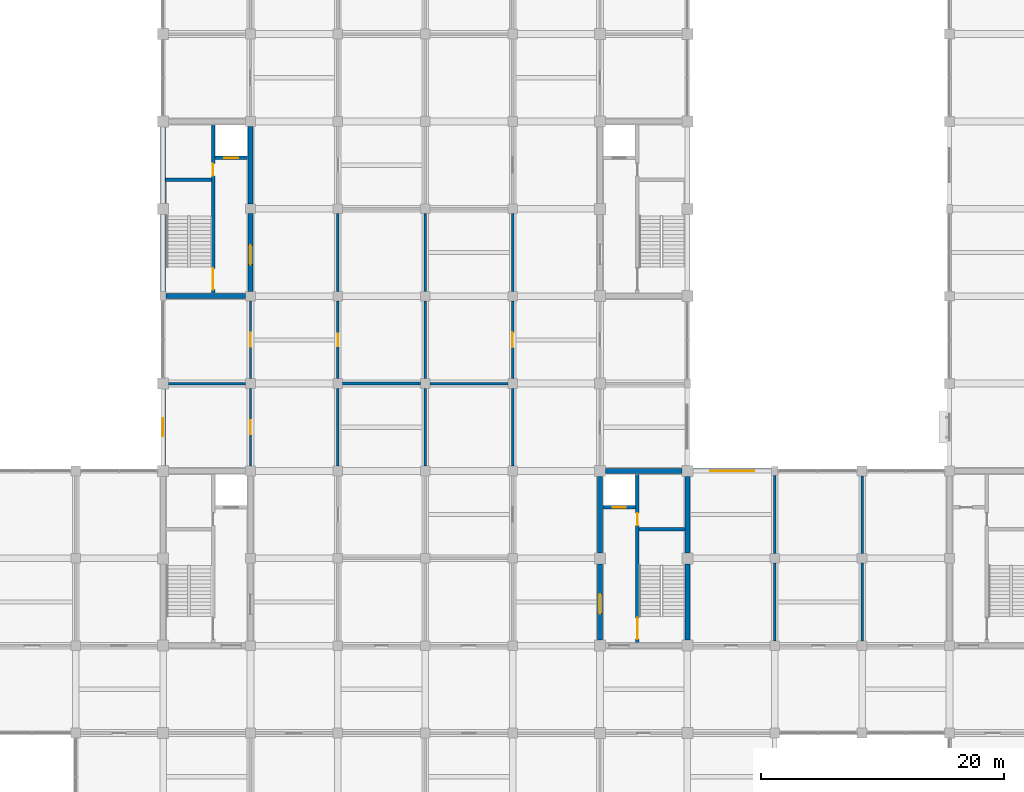
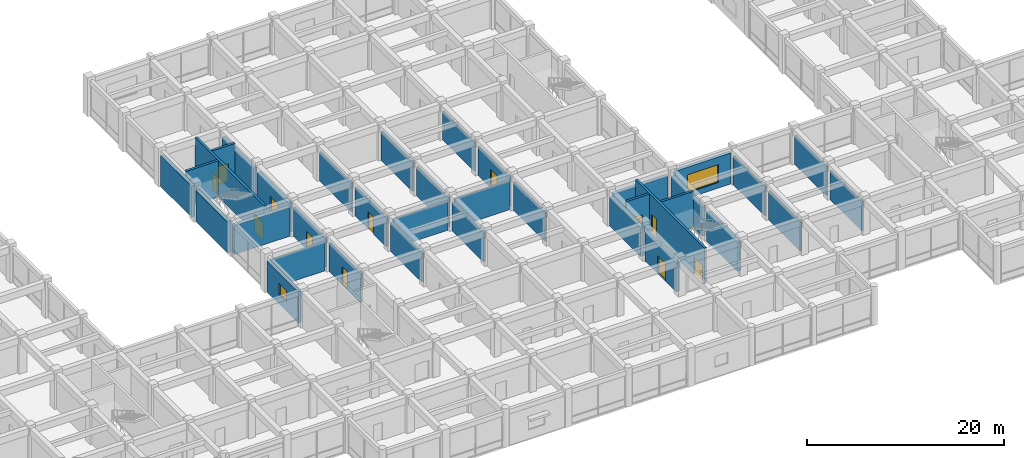
# One storey, part 59 of 75: 36 walls, 12 doors, 2 windows, 14 openings.
"""IFC4 building model written with IfcOpenShell, lengths in metres."""

from ifc_helpers import new_model, si_unit, direction, frame, frame_2d, origin, place, context, subcontext, project, spatial, rectangle, extrude, material, layer, layer_set, type_object, element, fill, save


model = new_model("IFC4")

# Units and contexts
model_context = context("Model", 3, precision=1e-05, world=origin(), true_north=direction((0.0, 1.0)))
body_context = subcontext(model_context, "Body", "Model", "MODEL_VIEW")
ifc_project = project(units=[si_unit("LENGTHUNIT", "METRE"), si_unit("AREAUNIT", "SQUARE_METRE"), si_unit("VOLUMEUNIT", "CUBIC_METRE"), si_unit("PLANEANGLEUNIT", "RADIAN"), si_unit("MASSUNIT", "GRAM", prefix="KILO")], contexts=[model_context])

# Site, building, storey
site_placement = place(None, origin())
site = spatial("IfcSite", under=ifc_project, at=site_placement, CompositionType="ELEMENT")
building_placement = place(site_placement, origin())
building = spatial("IfcBuilding", under=site, at=building_placement, Name="Cendaluz Park School", CompositionType="ELEMENT")
storey_placement = place(building_placement, frame((0.0, 0.0, 4.800048828125)))
storey = spatial("IfcBuildingStorey", under=building, at=storey_placement, Name="L01", CompositionType="ELEMENT", Elevation=4.800048828125)

# Wall
ifc_material_1 = material(Name="Gypsum Plasterboard on Cold-Formed Stud", Category="gypsum")
ifc_layer_1 = layer(ifc_material_1, 0.199951171875)
ifc_layer_set_1 = layer_set([ifc_layer_1], Name="Gypsum Plasterboard on Cold-Formed Stud")
wall_type_1 = type_object("IfcWallType", Name="W-AC20", PredefinedType="PARTITIONING", material=ifc_layer_set_1)
wall_1_placement = place(storey_placement, frame((65.25, 36.0, 0.0), z_axis=(0.0, 0.0, 1.0), x_axis=(1.0, 0.0, 0.0)))
element("IfcWall", 1, at=wall_1_placement, inside=storey, type_object=wall_type_1, Name="WL-FB-BV0", PredefinedType="PARTITIONING", context=body_context, shape_type="SweptSolid", body=[
    extrude(rectangle(XDim=6.35009765625, YDim=0.199951171875, at=frame_2d((3.175048828125, 0.0))), origin(), (0.0, 0.0, 1.0), 3.579833984375),
])

# Wall, opening, door
wall_2_placement = place(storey_placement, frame((72.0, 29.199951171875, 0.0), z_axis=(0.0, 0.0, 1.0), x_axis=(0.0, 1.0, 0.0)))
wall_2 = element("IfcWall", 2, at=wall_2_placement, inside=storey, type_object=wall_type_1, Name="WL-FB-BV1", PredefinedType="PARTITIONING", context=body_context, shape_type="SweptSolid", body=[
    extrude(rectangle(XDim=6.400146484375, YDim=0.199951171875, at=frame_2d((3.2001953125, 0.0))), origin(), (0.0, 0.0, 1.0), 3.579833984375),
])
opening_1_placement = place(wall_2_placement, frame((2.639892578125, 0.0, 0.0)))
opening_1 = element("IfcOpeningElement", 3, at=opening_1_placement, cuts=wall_2, Name="Opening DCL-06", PredefinedType="OPENING", context=body_context, shape_type="SweptSolid", body=[
    extrude(rectangle(XDim=1.1201171875, YDim=2.199951171875, at=frame_2d((0.56005859375, 1.10009765625))), frame((0.0, 0.112060546875, 0.0), z_axis=(0.0, -1.0, 0.0), x_axis=(1.0, 0.0, 0.0)), (0.0, 0.0, 1.0), 0.223876953125),
])
ifc_material_2 = material(Name="Solid Core Hardwood", Category="wood")
door_type_1 = type_object("IfcDoorType", Name="DCL-06", OperationType="NOTDEFINED", PredefinedType="DOOR", material=ifc_material_2)
door_1_placement = place(opening_1_placement, origin())
door_1 = element("IfcDoor", 4, at=door_1_placement, inside=storey, type_object=door_type_1, Name="D-L01-058", OperationType="SINGLE_SWING_RIGHT", OverallHeight=2.199951171875, OverallWidth=1.1201171875, PredefinedType="DOOR", context=body_context, shape_type="SweptSolid", body=[
    extrude(rectangle(XDim=1.1201171875, YDim=2.199951171875, at=frame_2d((0.56005859375, 1.10009765625))), frame((0.0, 0.02490234375, 0.0), z_axis=(0.0, -1.0, 0.0), x_axis=(1.0, 0.0, 0.0)), (0.0, 0.0, 1.0), 0.050048828125),
])
fill(opening_1, door_1)

wall_3_placement = place(storey_placement, frame((72.0, 36.39990234375, 0.0), z_axis=(0.0, 0.0, 1.0), x_axis=(0.0, 1.0, 0.0)))
wall_3 = element("IfcWall", 5, at=wall_3_placement, inside=storey, type_object=wall_type_1, Name="WL-FB-BV2", PredefinedType="PARTITIONING", context=body_context, shape_type="SweptSolid", body=[
    extrude(rectangle(XDim=6.400146484375, YDim=0.199951171875, at=frame_2d((3.2001953125, 0.0))), origin(), (0.0, 0.0, 1.0), 3.579833984375),
])
opening_2_placement = place(wall_3_placement, frame((2.6201171875, 0.0, 0.0)))
opening_2 = element("IfcOpeningElement", 6, at=opening_2_placement, cuts=wall_3, Name="Opening DCL-07", PredefinedType="OPENING", context=body_context, shape_type="SweptSolid", body=[
    extrude(rectangle(XDim=1.159912109375, YDim=2.219970703125, at=frame_2d((0.580078125, 1.10986328125))), frame((0.0, 0.112060546875, 0.0), z_axis=(0.0, -1.0, 0.0), x_axis=(1.0, 0.0, 0.0)), (0.0, 0.0, 1.0), 0.223876953125),
])
door_type_2 = type_object("IfcDoorType", Name="DCL-07", OperationType="NOTDEFINED", PredefinedType="DOOR", material=ifc_material_2)
door_2_placement = place(opening_2_placement, origin())
door_2 = element("IfcDoor", 7, at=door_2_placement, inside=storey, type_object=door_type_2, Name="D-L01-059", OperationType="SINGLE_SWING_LEFT", OverallHeight=2.219970703125, OverallWidth=1.159912109375, PredefinedType="DOOR", context=body_context, shape_type="SweptSolid", body=[
    extrude(rectangle(XDim=1.159912109375, YDim=2.219970703125, at=frame_2d((0.580078125, 1.10986328125))), frame((0.0, 0.02490234375, 0.0), z_axis=(0.0, -1.0, 0.0), x_axis=(1.0, 0.0, 0.0)), (0.0, 0.0, 1.0), 0.050048828125),
])
fill(opening_2, door_2)

# Walls
wall_4_placement = place(storey_placement, frame((86.800048828125, 36.0, 0.0), z_axis=(0.0, 0.0, 1.0), x_axis=(1.0, 0.0, 0.0)))
element("IfcWall", 8, at=wall_4_placement, inside=storey, type_object=wall_type_1, Name="WL-FB-BY7", PredefinedType="PARTITIONING", context=body_context, shape_type="SweptSolid", body=[
    extrude(rectangle(XDim=6.39990234375, YDim=0.199951171875, at=frame_2d((3.199951171875, 0.0))), origin(), (0.0, 0.0, 1.0), 3.579833984375),
])
wall_5_placement = place(storey_placement, frame((93.60009765625, 29.199951171875, 0.0), z_axis=(0.0, 0.0, 1.0), x_axis=(0.0, 1.0, 0.0)))
element("IfcWall", 9, at=wall_5_placement, inside=storey, type_object=wall_type_1, Name="WL-FB-BY8", PredefinedType="PARTITIONING", context=body_context, shape_type="SweptSolid", body=[
    extrude(rectangle(XDim=6.400146484375, YDim=0.199951171875, at=frame_2d((3.2001953125, 0.0))), origin(), (0.0, 0.0, 1.0), 3.579833984375),
])

# Wall, opening, door
wall_6_placement = place(storey_placement, frame((93.60009765625, 36.39990234375, 0.0), z_axis=(0.0, 0.0, 1.0), x_axis=(0.0, 1.0, 0.0)))
wall_6 = element("IfcWall", 10, at=wall_6_placement, inside=storey, type_object=wall_type_1, Name="WL-FB-BY9", PredefinedType="PARTITIONING", context=body_context, shape_type="SweptSolid", body=[
    extrude(rectangle(XDim=6.400146484375, YDim=0.199951171875, at=frame_2d((3.2001953125, 0.0))), origin(), (0.0, 0.0, 1.0), 3.579833984375),
])
opening_3_placement = place(wall_6_placement, frame((2.580078125, 0.0, 0.0)))
opening_3 = element("IfcOpeningElement", 11, at=opening_3_placement, cuts=wall_6, Name="Opening DCL-09", PredefinedType="OPENING", context=body_context, shape_type="SweptSolid", body=[
    extrude(rectangle(XDim=1.239990234375, YDim=2.260009765625, at=frame_2d((0.6201171875, 1.1298828125))), frame((0.0, 0.112060546875, 0.0), z_axis=(0.0, -1.0, 0.0), x_axis=(1.0, 0.0, 0.0)), (0.0, 0.0, 1.0), 0.223876953125),
])
door_type_3 = type_object("IfcDoorType", Name="DCL-09", OperationType="NOTDEFINED", PredefinedType="DOOR", material=ifc_material_2)
door_3_placement = place(opening_3_placement, origin())
door_3 = element("IfcDoor", 12, at=door_3_placement, inside=storey, type_object=door_type_3, Name="D-L01-071", OperationType="SINGLE_SWING_LEFT", OverallHeight=2.260009765625, OverallWidth=1.239990234375, PredefinedType="DOOR", context=body_context, shape_type="SweptSolid", body=[
    extrude(rectangle(XDim=1.239990234375, YDim=2.260009765625, at=frame_2d((0.6201171875, 1.1298828125))), frame((0.0, 0.02490234375, 0.0), z_axis=(0.0, -1.0, 0.0), x_axis=(1.0, 0.0, 0.0)), (0.0, 0.0, 1.0), 0.050048828125),
])
fill(opening_3, door_3)

# Wall
wall_7_placement = place(storey_placement, frame((93.60009765625, 43.60009765625, 0.0), z_axis=(0.0, 0.0, 1.0), x_axis=(0.0, 1.0, 0.0)))
element("IfcWall", 13, at=wall_7_placement, inside=storey, type_object=wall_type_1, Name="WL-FB-BZ1", PredefinedType="PARTITIONING", context=body_context, shape_type="SweptSolid", body=[
    extrude(rectangle(XDim=6.39990234375, YDim=0.199951171875, at=frame_2d((3.199951171875, 0.0))), origin(), (0.0, 0.0, 1.0), 3.579833984375),
])

# Wall, opening, window
ifc_material_3 = material(Name="Concrete C40/50 precast", Category="concrete")
ifc_layer_2 = layer(ifc_material_3, 0.360107421875)
ifc_layer_set_2 = layer_set([ifc_layer_2], Name="Concrete C40/50 precast")
wall_type_2 = type_object("IfcWallType", Name="W-EX36", PredefinedType="SOLIDWALL", material=ifc_layer_set_2)
wall_8_placement = place(storey_placement, frame((64.800048828125, 29.25, 0.0), z_axis=(0.0, 0.0, 1.0), x_axis=(0.0, 1.0, 0.0)))
wall_8 = element("IfcWall", 14, at=wall_8_placement, inside=storey, type_object=wall_type_2, Name="WL-FB-AB6", PredefinedType="SOLIDWALL", context=body_context, shape_type="SweptSolid", body=[
    extrude(rectangle(XDim=6.300048828125, YDim=0.360107421875, at=frame_2d((3.14990234375, 0.0))), origin(), (0.0, 0.0, 1.0), 3.849853515625),
])
opening_4_placement = place(wall_8_placement, frame((2.39990234375, 0.0, 1.199951171875)))
opening_4 = element("IfcOpeningElement", 15, at=opening_4_placement, cuts=wall_8, Name="Opening WN-20", PredefinedType="OPENING", context=body_context, shape_type="SweptSolid", body=[
    extrude(rectangle(XDim=1.5, YDim=1.35009765625, at=frame_2d((0.75, 0.675048828125))), frame((0.0, 0.192138671875, 0.0), z_axis=(0.0, -1.0, 0.0), x_axis=(1.0, 0.0, 0.0)), (0.0, 0.0, 1.0), 0.384033203125),
])
ifc_material_4 = material(Name="Tempered Low-E Double Glazing", Category="glass")
window_type_1 = type_object("IfcWindowType", Name="WN-20", PartitioningType="SINGLE_PANEL", PredefinedType="WINDOW", material=ifc_material_4)
window_1_placement = place(opening_4_placement, origin())
window_1 = element("IfcWindow", 16, at=window_1_placement, inside=storey, type_object=window_type_1, Name="WN-L01-017", OverallHeight=1.35009765625, OverallWidth=1.5, PartitioningType="SINGLE_PANEL", PredefinedType="WINDOW", context=body_context, shape_type="SweptSolid", body=[
    extrude(rectangle(XDim=1.5, YDim=1.35009765625, at=frame_2d((0.75, 0.675048828125))), frame((0.0, 0.030029296875, 0.0), z_axis=(0.0, -1.0, 0.0), x_axis=(1.0, 0.0, 0.0)), (0.0, 0.0, 1.0), 0.06005859375),
])
fill(opening_4, window_1)

wall_9_placement = place(storey_placement, frame((108.449951171875, 28.800048828125, 0.0), z_axis=(0.0, 0.0, 1.0), x_axis=(1.0, 0.0, 0.0)))
wall_9 = element("IfcWall", 17, at=wall_9_placement, inside=storey, type_object=wall_type_2, Name="WL-FB-AC3", PredefinedType="SOLIDWALL", context=body_context, shape_type="SweptSolid", body=[
    extrude(rectangle(XDim=6.5, YDim=0.360107421875, at=frame_2d((3.25, 0.0))), origin(), (0.0, 0.0, 1.0), 3.849853515625),
])
opening_5_placement = place(wall_9_placement, frame((1.449951171875, 0.0, 0.699951171875)))
opening_5 = element("IfcOpeningElement", 18, at=opening_5_placement, cuts=wall_9, Name="Opening WN-26", PredefinedType="OPENING", context=body_context, shape_type="SweptSolid", body=[
    extrude(rectangle(XDim=3.60009765625, YDim=2.199951171875, at=frame_2d((1.800048828125, 1.10009765625))), frame((0.0, 0.192138671875, 0.0), z_axis=(0.0, -1.0, 0.0), x_axis=(1.0, 0.0, 0.0)), (0.0, 0.0, 1.0), 0.384033203125),
])
window_type_2 = type_object("IfcWindowType", Name="WN-26", PartitioningType="SINGLE_PANEL", PredefinedType="WINDOW", material=ifc_material_4)
window_2_placement = place(opening_5_placement, origin())
window_2 = element("IfcWindow", 19, at=window_2_placement, inside=storey, type_object=window_type_2, Name="WN-L01-024", OverallHeight=2.199951171875, OverallWidth=3.60009765625, PartitioningType="SINGLE_PANEL", PredefinedType="WINDOW", context=body_context, shape_type="SweptSolid", body=[
    extrude(rectangle(XDim=3.60009765625, YDim=2.199951171875, at=frame_2d((1.800048828125, 1.10009765625))), frame((0.0, 0.030029296875, 0.0), z_axis=(0.0, -1.0, 0.0), x_axis=(1.0, 0.0, 0.0)), (0.0, 0.0, 1.0), 0.06005859375),
])
fill(opening_5, window_2)

# Wall, openings, doors
ifc_material_5 = material(Name="Concrete C40/50", Category="concrete")
ifc_layer_3 = layer(ifc_material_5, 0.280029296875)
ifc_layer_set_3 = layer_set([ifc_layer_3], Name="Concrete C40/50")
wall_type_3 = type_object("IfcWallType", Name="W-FW28", PredefinedType="SHEAR", material=ifc_layer_set_3)
wall_10_placement = place(storey_placement, frame((103.8798828125, 14.60009765625, 0.0), z_axis=(0.0, 0.0, 1.0), x_axis=(0.0, 1.0, 0.0)))
wall_10 = element("IfcWall", 20, at=wall_10_placement, inside=storey, type_object=wall_type_3, Name="WL-FB-BJ4", PredefinedType="SHEAR", context=body_context, shape_type="SweptSolid", body=[
    extrude(rectangle(XDim=14.0, YDim=0.280029296875, at=frame_2d((7.0, 0.0))), origin(), (0.0, 0.0, 1.0), 4.47998046875),
])
opening_6_placement = place(wall_10_placement, frame((0.35009765625, 0.0, 0.0)))
opening_6 = element("IfcOpeningElement", 21, at=opening_6_placement, cuts=wall_10, Name="Opening DST-03", PredefinedType="OPENING", context=body_context, shape_type="SweptSolid", body=[
    extrude(rectangle(XDim=1.75, YDim=2.14990234375, at=frame_2d((0.875, 1.074951171875))), frame((0.0, 0.152099609375, 0.0), z_axis=(0.0, -1.0, 0.0), x_axis=(1.0, 0.0, 0.0)), (0.0, 0.0, 1.0), 0.303955078125),
])
opening_7_placement = place(wall_10_placement, frame((9.719970703125, 0.0, 0.0)))
opening_7 = element("IfcOpeningElement", 22, at=opening_7_placement, cuts=wall_10, Name="Opening DFC-01", PredefinedType="OPENING", context=body_context, shape_type="SweptSolid", body=[
    extrude(rectangle(XDim=1.0, YDim=2.14990234375, at=frame_2d((0.5, 1.074951171875))), frame((0.0, 0.152099609375, 0.0), z_axis=(0.0, -1.0, 0.0), x_axis=(1.0, 0.0, 0.0)), (0.0, 0.0, 1.0), 0.303955078125),
])
door_type_4 = type_object("IfcDoorType", Name="DFC-01", OperationType="NOTDEFINED", PredefinedType="DOOR", material=ifc_material_2)
door_4_placement = place(opening_7_placement, frame((1.0, 0.0, 0.0), z_axis=(0.0, 0.0, 1.0), x_axis=(-1.0, 0.0, 0.0)))
door_4 = element("IfcDoor", 23, at=door_4_placement, inside=storey, type_object=door_type_4, Name="D-L01-009", OperationType="SINGLE_SWING_LEFT", OverallHeight=2.14990234375, OverallWidth=1.0, PredefinedType="DOOR", context=body_context, shape_type="SweptSolid", body=[
    extrude(rectangle(XDim=1.0, YDim=2.14990234375, at=frame_2d((0.5, 1.074951171875))), frame((0.0, 0.02490234375, 0.0), z_axis=(0.0, -1.0, 0.0), x_axis=(1.0, 0.0, 0.0)), (0.0, 0.0, 1.0), 0.050048828125),
])
fill(opening_7, door_4)
door_type_5 = type_object("IfcDoorType", Name="DST-03", OperationType="DOUBLE_DOOR_SINGLE_SWING", PredefinedType="DOOR", material=ifc_material_2)
door_5_placement = place(opening_6_placement, frame((1.75, 0.0, 0.0), z_axis=(0.0, 0.0, 1.0), x_axis=(-1.0, 0.0, 0.0)))
door_5 = element("IfcDoor", 24, at=door_5_placement, inside=storey, type_object=door_type_5, Name="D-L01-008", OperationType="DOUBLE_DOOR_SINGLE_SWING", OverallHeight=2.14990234375, OverallWidth=1.75, PredefinedType="DOOR", context=body_context, shape_type="SweptSolid", body=[
    extrude(rectangle(XDim=1.75, YDim=2.14990234375, at=frame_2d((0.875, 1.074951171875))), frame((0.0, 0.02490234375, 0.0), z_axis=(0.0, -1.0, 0.0), x_axis=(1.0, 0.0, 0.0)), (0.0, 0.0, 1.0), 0.050048828125),
])
fill(opening_6, door_5)

# Wall
wall_11_placement = place(storey_placement, frame((104.02001953125, 23.97998046875, 0.0), z_axis=(0.0, 0.0, 1.0), x_axis=(1.0, 0.0, 0.0)))
element("IfcWall", 25, at=wall_11_placement, inside=storey, type_object=wall_type_3, Name="WL-FB-BJ5", PredefinedType="SHEAR", context=body_context, shape_type="SweptSolid", body=[
    extrude(rectangle(XDim=3.780029296875, YDim=0.280029296875, at=frame_2d((1.89013671875, 0.0))), origin(), (0.0, 0.0, 1.0), 4.47998046875),
])

# Wall, opening, door
wall_12_placement = place(storey_placement, frame((101.0400390625, 25.800048828125, 0.0), z_axis=(0.0, 0.0, 1.0), x_axis=(1.0, 0.0, 0.0)))
wall_12 = element("IfcWall", 26, at=wall_12_placement, inside=storey, type_object=wall_type_3, Name="WL-FB-BJ6", PredefinedType="SHEAR", context=body_context, shape_type="SweptSolid", body=[
    extrude(rectangle(XDim=2.679931640625, YDim=0.280029296875, at=frame_2d((1.33984375, 0.0))), origin(), (0.0, 0.0, 1.0), 4.47998046875),
])
opening_8_placement = place(wall_12_placement, frame((0.81494140625, 0.0, 0.0)))
opening_8 = element("IfcOpeningElement", 27, at=opening_8_placement, cuts=wall_12, Name="Opening LD-02", PredefinedType="OPENING", context=body_context, shape_type="SweptSolid", body=[
    extrude(rectangle(XDim=1.050048828125, YDim=2.199951171875, at=frame_2d((0.52490234375, 1.10009765625))), frame((0.0, 0.152099609375, 0.0), z_axis=(0.0, -1.0, 0.0), x_axis=(1.0, 0.0, 0.0)), (0.0, 0.0, 1.0), 0.303955078125),
])
ifc_material_6 = material(Name="Stainless Steel 316L", Category="steel")
door_type_6 = type_object("IfcDoorType", Name="LD-02", OperationType="DOUBLE_DOOR_SLIDING", PredefinedType="DOOR", material=ifc_material_6)
door_6_placement = place(opening_8_placement, frame((1.050048828125, 0.0, 0.0), z_axis=(0.0, 0.0, 1.0), x_axis=(-1.0, 0.0, 0.0)))
door_6 = element("IfcDoor", 28, at=door_6_placement, inside=storey, type_object=door_type_6, Name="D-L01-010", OperationType="DOUBLE_DOOR_SLIDING", OverallHeight=2.199951171875, OverallWidth=1.050048828125, PredefinedType="DOOR", context=body_context, shape_type="SweptSolid", body=[
    extrude(rectangle(XDim=1.050048828125, YDim=2.199951171875, at=frame_2d((0.52490234375, 1.10009765625))), frame((0.0, 0.02490234375, 0.0), z_axis=(0.0, -1.0, 0.0), x_axis=(1.0, 0.0, 0.0)), (0.0, 0.0, 1.0), 0.050048828125),
])
fill(opening_8, door_6)

# Wall, openings, doors
wall_13_placement = place(storey_placement, frame((68.919921875, 43.39990234375, 0.0), z_axis=(0.0, 0.0, 1.0), x_axis=(0.0, 1.0, 0.0)))
wall_13 = element("IfcWall", 29, at=wall_13_placement, inside=storey, type_object=wall_type_3, Name="WL-FB-BK3", PredefinedType="SHEAR", context=body_context, shape_type="SweptSolid", body=[
    extrude(rectangle(XDim=14.0, YDim=0.280029296875, at=frame_2d((7.0, 0.0))), origin(), (0.0, 0.0, 1.0), 4.47998046875),
])
opening_9_placement = place(wall_13_placement, frame((0.35009765625, 0.0, 0.0)))
opening_9 = element("IfcOpeningElement", 30, at=opening_9_placement, cuts=wall_13, Name="Opening DST-03", PredefinedType="OPENING", context=body_context, shape_type="SweptSolid", body=[
    extrude(rectangle(XDim=1.75, YDim=2.14990234375, at=frame_2d((0.875, 1.074951171875))), frame((0.0, 0.152099609375, 0.0), z_axis=(0.0, -1.0, 0.0), x_axis=(1.0, 0.0, 0.0)), (0.0, 0.0, 1.0), 0.303955078125),
])
opening_10_placement = place(wall_13_placement, frame((9.719970703125, 0.0, 0.0)))
opening_10 = element("IfcOpeningElement", 31, at=opening_10_placement, cuts=wall_13, Name="Opening DFC-01", PredefinedType="OPENING", context=body_context, shape_type="SweptSolid", body=[
    extrude(rectangle(XDim=1.0, YDim=2.14990234375, at=frame_2d((0.5, 1.074951171875))), frame((0.0, 0.152099609375, 0.0), z_axis=(0.0, -1.0, 0.0), x_axis=(1.0, 0.0, 0.0)), (0.0, 0.0, 1.0), 0.303955078125),
])
door_7_placement = place(opening_10_placement, origin())
door_7 = element("IfcDoor", 32, at=door_7_placement, inside=storey, type_object=door_type_4, Name="D-L01-013", OperationType="SINGLE_SWING_LEFT", OverallHeight=2.14990234375, OverallWidth=1.0, PredefinedType="DOOR", context=body_context, shape_type="SweptSolid", body=[
    extrude(rectangle(XDim=1.0, YDim=2.14990234375, at=frame_2d((0.5, 1.074951171875))), frame((0.0, 0.02490234375, 0.0), z_axis=(0.0, -1.0, 0.0), x_axis=(1.0, 0.0, 0.0)), (0.0, 0.0, 1.0), 0.050048828125),
])
fill(opening_10, door_7)
door_8_placement = place(opening_9_placement, origin())
door_8 = element("IfcDoor", 33, at=door_8_placement, inside=storey, type_object=door_type_5, Name="D-L01-012", OperationType="DOUBLE_DOOR_SINGLE_SWING", OverallHeight=2.14990234375, OverallWidth=1.75, PredefinedType="DOOR", context=body_context, shape_type="SweptSolid", body=[
    extrude(rectangle(XDim=1.75, YDim=2.14990234375, at=frame_2d((0.875, 1.074951171875))), frame((0.0, 0.02490234375, 0.0), z_axis=(0.0, -1.0, 0.0), x_axis=(1.0, 0.0, 0.0)), (0.0, 0.0, 1.0), 0.050048828125),
])
fill(opening_9, door_8)

# Wall
wall_14_placement = place(storey_placement, frame((65.0, 52.780029296875, 0.0), z_axis=(0.0, 0.0, 1.0), x_axis=(1.0, 0.0, 0.0)))
element("IfcWall", 34, at=wall_14_placement, inside=storey, type_object=wall_type_3, Name="WL-FB-BK4", PredefinedType="SHEAR", context=body_context, shape_type="SweptSolid", body=[
    extrude(rectangle(XDim=3.780029296875, YDim=0.280029296875, at=frame_2d((1.89013671875, 0.0))), origin(), (0.0, 0.0, 1.0), 4.47998046875),
])

# Wall, opening, door
wall_15_placement = place(storey_placement, frame((69.080078125, 54.60009765625, 0.0), z_axis=(0.0, 0.0, 1.0), x_axis=(1.0, 0.0, 0.0)))
wall_15 = element("IfcWall", 35, at=wall_15_placement, inside=storey, type_object=wall_type_3, Name="WL-FB-BK5", PredefinedType="SHEAR", context=body_context, shape_type="SweptSolid", body=[
    extrude(rectangle(XDim=2.679931640625, YDim=0.280029296875, at=frame_2d((1.33984375, 0.0))), origin(), (0.0, 0.0, 1.0), 4.47998046875),
])
opening_11_placement = place(wall_15_placement, frame((0.764892578125, 0.0, 0.0)))
opening_11 = element("IfcOpeningElement", 36, at=opening_11_placement, cuts=wall_15, Name="Opening LD-01", PredefinedType="OPENING", context=body_context, shape_type="SweptSolid", body=[
    extrude(rectangle(XDim=1.14990234375, YDim=2.199951171875, at=frame_2d((0.574951171875, 1.10009765625))), frame((0.0, 0.152099609375, 0.0), z_axis=(0.0, -1.0, 0.0), x_axis=(1.0, 0.0, 0.0)), (0.0, 0.0, 1.0), 0.303955078125),
])
door_type_7 = type_object("IfcDoorType", Name="LD-01", OperationType="DOUBLE_DOOR_SLIDING", PredefinedType="DOOR", material=ifc_material_6)
door_9_placement = place(opening_11_placement, frame((1.14990234375, 0.0, 0.0), z_axis=(0.0, 0.0, 1.0), x_axis=(-1.0, 0.0, 0.0)))
door_9 = element("IfcDoor", 37, at=door_9_placement, inside=storey, type_object=door_type_7, Name="D-L01-014", OperationType="DOUBLE_DOOR_SLIDING", OverallHeight=2.199951171875, OverallWidth=1.14990234375, PredefinedType="DOOR", context=body_context, shape_type="SweptSolid", body=[
    extrude(rectangle(XDim=1.14990234375, YDim=2.199951171875, at=frame_2d((0.574951171875, 1.10009765625))), frame((0.0, 0.02490234375, 0.0), z_axis=(0.0, -1.0, 0.0), x_axis=(1.0, 0.0, 0.0)), (0.0, 0.0, 1.0), 0.050048828125),
])
fill(opening_11, door_9)

# Walls
ifc_layer_4 = layer(ifc_material_1, 0.219970703125)
ifc_layer_set_4 = layer_set([ifc_layer_4], Name="Gypsum Plasterboard on Cold-Formed Stud")
wall_type_4 = type_object("IfcWallType", Name="W-LB22", PredefinedType="PARTITIONING", material=ifc_layer_set_4)
wall_16_placement = place(storey_placement, frame((115.199951171875, 14.800048828125, 0.0), z_axis=(0.0, 0.0, 1.0), x_axis=(0.0, 1.0, 0.0)))
element("IfcWall", 38, at=wall_16_placement, inside=storey, type_object=wall_type_4, Name="WL-FB-BR2", PredefinedType="PARTITIONING", context=body_context, shape_type="SweptSolid", body=[
    extrude(rectangle(XDim=6.39990234375, YDim=0.219970703125, at=frame_2d((3.199951171875, 0.0))), origin(), (0.0, 0.0, 1.0), 3.579833984375),
])
wall_17_placement = place(storey_placement, frame((115.199951171875, 22.0, 0.0), z_axis=(0.0, 0.0, 1.0), x_axis=(0.0, 1.0, 0.0)))
element("IfcWall", 39, at=wall_17_placement, inside=storey, type_object=wall_type_4, Name="WL-FB-BR3", PredefinedType="PARTITIONING", context=body_context, shape_type="SweptSolid", body=[
    extrude(rectangle(XDim=6.425048828125, YDim=0.219970703125, at=frame_2d((3.21240234375, 0.0))), origin(), (0.0, 0.0, 1.0), 3.579833984375),
])
for number, where, z_axis, x_axis, name in (
    (40, (122.39990234375, 14.800048828125, 0.0), (0.0, 0.0, 1.0), (0.0, 1.0, 0.0), "WL-FB-BR5"),
    (41, (122.39990234375, 22.0, 0.0), (0.0, 0.0, 1.0), (0.0, 1.0, 0.0), "WL-FB-BR6"),
    (42, (79.60009765625, 36.0, 0.0), (0.0, 0.0, 1.0), (1.0, 0.0, 0.0), "WL-FB-BW5"),
):
    element("IfcWall", number, at=place(storey_placement, frame(where, z_axis=z_axis, x_axis=x_axis)), inside=storey, type_object=wall_type_4, Name=name, PredefinedType="PARTITIONING", context=body_context, shape_type="SweptSolid", body=[
        extrude(rectangle(XDim=6.39990234375, YDim=0.219970703125, at=frame_2d((3.199951171875, 0.0))), origin(), (0.0, 0.0, 1.0), 3.579833984375),
    ])
for number, where, z_axis, x_axis, name in (
    (43, (79.199951171875, 29.199951171875, 0.0), (0.0, 0.0, 1.0), (0.0, 1.0, 0.0), "WL-FB-BW6"),
    (44, (86.39990234375, 29.199951171875, 0.0), (0.0, 0.0, 1.0), (0.0, 1.0, 0.0), "WL-FB-BW7"),
):
    element("IfcWall", number, at=place(storey_placement, frame(where, z_axis=z_axis, x_axis=x_axis)), inside=storey, type_object=wall_type_4, Name=name, PredefinedType="PARTITIONING", context=body_context, shape_type="SweptSolid", body=[
        extrude(rectangle(XDim=6.400146484375, YDim=0.219970703125, at=frame_2d((3.2001953125, 0.0))), origin(), (0.0, 0.0, 1.0), 3.579833984375),
    ])

# Wall, opening, door
wall_18_placement = place(storey_placement, frame((79.199951171875, 36.39990234375, 0.0), z_axis=(0.0, 0.0, 1.0), x_axis=(0.0, 1.0, 0.0)))
wall_18 = element("IfcWall", 45, at=wall_18_placement, inside=storey, type_object=wall_type_4, Name="WL-FB-BW8", PredefinedType="PARTITIONING", context=body_context, shape_type="SweptSolid", body=[
    extrude(rectangle(XDim=6.400146484375, YDim=0.219970703125, at=frame_2d((3.2001953125, 0.0))), origin(), (0.0, 0.0, 1.0), 3.579833984375),
])
opening_12_placement = place(wall_18_placement, frame((2.679931640625, 0.0, 0.0)))
opening_12 = element("IfcOpeningElement", 46, at=opening_12_placement, cuts=wall_18, Name="Opening DCL-03", PredefinedType="OPENING", context=body_context, shape_type="SweptSolid", body=[
    extrude(rectangle(XDim=1.0400390625, YDim=2.139892578125, at=frame_2d((0.52001953125, 1.06982421875))), frame((0.0, 0.1220703125, 0.0), z_axis=(0.0, -1.0, 0.0), x_axis=(1.0, 0.0, 0.0)), (0.0, 0.0, 1.0), 0.243896484375),
])
door_type_8 = type_object("IfcDoorType", Name="DCL-03", OperationType="NOTDEFINED", PredefinedType="DOOR", material=ifc_material_2)
door_10_placement = place(opening_12_placement, origin())
door_10 = element("IfcDoor", 47, at=door_10_placement, inside=storey, type_object=door_type_8, Name="D-L01-065", OperationType="SINGLE_SWING_LEFT", OverallHeight=2.139892578125, OverallWidth=1.0400390625, PredefinedType="DOOR", context=body_context, shape_type="SweptSolid", body=[
    extrude(rectangle(XDim=1.0400390625, YDim=2.139892578125, at=frame_2d((0.52001953125, 1.06982421875))), frame((0.0, 0.02490234375, 0.0), z_axis=(0.0, -1.0, 0.0), x_axis=(1.0, 0.0, 0.0)), (0.0, 0.0, 1.0), 0.050048828125),
])
fill(opening_12, door_10)

# Walls
wall_19_placement = place(storey_placement, frame((86.39990234375, 36.39990234375, 0.0), z_axis=(0.0, 0.0, 1.0), x_axis=(0.0, 1.0, 0.0)))
element("IfcWall", 48, at=wall_19_placement, inside=storey, type_object=wall_type_4, Name="WL-FB-BW9", PredefinedType="PARTITIONING", context=body_context, shape_type="SweptSolid", body=[
    extrude(rectangle(XDim=6.400146484375, YDim=0.219970703125, at=frame_2d((3.2001953125, 0.0))), origin(), (0.0, 0.0, 1.0), 3.579833984375),
])
for number, where, z_axis, x_axis, name in (
    (49, (79.199951171875, 43.60009765625, 0.0), (0.0, 0.0, 1.0), (0.0, 1.0, 0.0), "WL-FB-BX1"),
    (50, (86.39990234375, 43.60009765625, 0.0), (0.0, 0.0, 1.0), (0.0, 1.0, 0.0), "WL-FB-BX2"),
):
    element("IfcWall", number, at=place(storey_placement, frame(where, z_axis=z_axis, x_axis=x_axis)), inside=storey, type_object=wall_type_4, Name=name, PredefinedType="PARTITIONING", context=body_context, shape_type="SweptSolid", body=[
        extrude(rectangle(XDim=6.39990234375, YDim=0.219970703125, at=frame_2d((3.199951171875, 0.0))), origin(), (0.0, 0.0, 1.0), 3.579833984375),
    ])

# Wall, opening, door
ifc_layer_5 = layer(ifc_material_5, 0.419921875)
ifc_layer_set_5 = layer_set([ifc_layer_5], Name="Concrete C40/50")
wall_type_5 = type_object("IfcWallType", Name="W-SH42", PredefinedType="SHEAR", material=ifc_layer_set_5)
wall_20_placement = place(storey_placement, frame((100.800048828125, 14.85009765625, 0.0), z_axis=(0.0, 0.0, 1.0), x_axis=(0.0, 1.0, 0.0)))
wall_20 = element("IfcWall", 51, at=wall_20_placement, inside=storey, type_object=wall_type_5, Name="WL-FB-BI8", PredefinedType="SHEAR", context=body_context, shape_type="SweptSolid", body=[
    extrude(rectangle(XDim=6.2998046875, YDim=0.419921875, at=frame_2d((3.14990234375, 0.0))), origin(), (0.0, 0.0, 1.0), 3.579833984375),
])
opening_13_placement = place(wall_20_placement, frame((2.199951171875, 0.0, 0.0)))
opening_13 = element("IfcOpeningElement", 52, at=opening_13_placement, cuts=wall_20, Name="Opening DLB-01", PredefinedType="OPENING", context=body_context, shape_type="SweptSolid", body=[
    extrude(rectangle(XDim=1.60009765625, YDim=2.199951171875, at=frame_2d((0.800048828125, 1.10009765625))), frame((0.0, 0.221923828125, 0.0), z_axis=(0.0, -1.0, 0.0), x_axis=(1.0, 0.0, 0.0)), (0.0, 0.0, 1.0), 0.44384765625),
])
door_type_9 = type_object("IfcDoorType", Name="DLB-01", OperationType="DOUBLE_DOOR_SINGLE_SWING", PredefinedType="DOOR", material=ifc_material_2)
door_11_placement = place(opening_13_placement, frame((1.60009765625, 0.0, 0.0), z_axis=(0.0, 0.0, 1.0), x_axis=(-1.0, 0.0, 0.0)))
door_11 = element("IfcDoor", 53, at=door_11_placement, inside=storey, type_object=door_type_9, Name="D-L01-006", OperationType="DOUBLE_DOOR_SINGLE_SWING", OverallHeight=2.199951171875, OverallWidth=1.60009765625, PredefinedType="DOOR", context=body_context, shape_type="SweptSolid", body=[
    extrude(rectangle(XDim=1.60009765625, YDim=2.199951171875, at=frame_2d((0.800048828125, 1.10009765625))), frame((0.0, 0.02490234375, 0.0), z_axis=(0.0, -1.0, 0.0), x_axis=(1.0, 0.0, 0.0)), (0.0, 0.0, 1.0), 0.050048828125),
])
fill(opening_13, door_11)

# Walls
wall_21_placement = place(storey_placement, frame((100.800048828125, 22.050048828125, 0.0), z_axis=(0.0, 0.0, 1.0), x_axis=(0.0, 1.0, 0.0)))
element("IfcWall", 54, at=wall_21_placement, inside=storey, type_object=wall_type_5, Name="WL-FB-BI9", PredefinedType="SHEAR", context=body_context, shape_type="SweptSolid", body=[
    extrude(rectangle(XDim=6.300048828125, YDim=0.419921875, at=frame_2d((3.14990234375, 0.0))), origin(), (0.0, 0.0, 1.0), 3.579833984375),
])
wall_22_placement = place(storey_placement, frame((108.0, 14.85009765625, 0.0), z_axis=(0.0, 0.0, 1.0), x_axis=(0.0, 1.0, 0.0)))
element("IfcWall", 55, at=wall_22_placement, inside=storey, type_object=wall_type_5, Name="WL-FB-BJ0", PredefinedType="SHEAR", context=body_context, shape_type="SweptSolid", body=[
    extrude(rectangle(XDim=6.2998046875, YDim=0.419921875, at=frame_2d((3.14990234375, 0.0))), origin(), (0.0, 0.0, 1.0), 3.579833984375),
])
for number, where, z_axis, x_axis, name in (
    (56, (108.0, 22.050048828125, 0.0), (0.0, 0.0, 1.0), (0.0, 1.0, 0.0), "WL-FB-BJ1"),
    (57, (101.25, 28.800048828125, 0.0), (0.0, 0.0, 1.0), (1.0, 0.0, 0.0), "WL-FB-BJ3"),
):
    element("IfcWall", number, at=place(storey_placement, frame(where, z_axis=z_axis, x_axis=x_axis)), inside=storey, type_object=wall_type_5, Name=name, PredefinedType="SHEAR", context=body_context, shape_type="SweptSolid", body=[
        extrude(rectangle(XDim=6.300048828125, YDim=0.419921875, at=frame_2d((3.14990234375, 0.0))), origin(), (0.0, 0.0, 1.0), 3.579833984375),
    ])
wall_23_placement = place(storey_placement, frame((64.800048828125, 43.574951171875, 0.0), z_axis=(0.0, 0.0, 1.0), x_axis=(0.0, 1.0, 0.0)))
element("IfcWall", 58, at=wall_23_placement, inside=storey, type_object=wall_type_5, Name="WL-FB-BJ7", PredefinedType="SHEAR", context=body_context, shape_type="SweptSolid", body=[
    extrude(rectangle(XDim=6.375, YDim=0.419921875, at=frame_2d((3.1875, 0.0))), origin(), (0.0, 0.0, 1.0), 3.849853515625),
])
wall_24_placement = place(storey_placement, frame((64.800048828125, 50.85009765625, 0.0), z_axis=(0.0, 0.0, 1.0), x_axis=(0.0, 1.0, 0.0)))
element("IfcWall", 59, at=wall_24_placement, inside=storey, type_object=wall_type_5, Name="WL-FB-BJ8", PredefinedType="SHEAR", context=body_context, shape_type="SweptSolid", body=[
    extrude(rectangle(XDim=6.2998046875, YDim=0.419921875, at=frame_2d((3.14990234375, 0.0))), origin(), (0.0, 0.0, 1.0), 3.849853515625),
])

# Wall, opening, door
wall_25_placement = place(storey_placement, frame((72.0, 43.60009765625, 0.0), z_axis=(0.0, 0.0, 1.0), x_axis=(0.0, 1.0, 0.0)))
wall_25 = element("IfcWall", 60, at=wall_25_placement, inside=storey, type_object=wall_type_5, Name="WL-FB-BJ9", PredefinedType="SHEAR", context=body_context, shape_type="SweptSolid", body=[
    extrude(rectangle(XDim=6.39990234375, YDim=0.419921875, at=frame_2d((3.199951171875, 0.0))), origin(), (0.0, 0.0, 1.0), 3.579833984375),
])
opening_14_placement = place(wall_25_placement, frame((2.199951171875, 0.0, 0.0)))
opening_14 = element("IfcOpeningElement", 61, at=opening_14_placement, cuts=wall_25, Name="Opening DLB-01", PredefinedType="OPENING", context=body_context, shape_type="SweptSolid", body=[
    extrude(rectangle(XDim=1.60009765625, YDim=2.199951171875, at=frame_2d((0.800048828125, 1.10009765625))), frame((0.0, 0.221923828125, 0.0), z_axis=(0.0, -1.0, 0.0), x_axis=(1.0, 0.0, 0.0)), (0.0, 0.0, 1.0), 0.44384765625),
])
door_12_placement = place(opening_14_placement, origin())
door_12 = element("IfcDoor", 62, at=door_12_placement, inside=storey, type_object=door_type_9, Name="D-L01-011", OperationType="DOUBLE_DOOR_SINGLE_SWING", OverallHeight=2.199951171875, OverallWidth=1.60009765625, PredefinedType="DOOR", context=body_context, shape_type="SweptSolid", body=[
    extrude(rectangle(XDim=1.60009765625, YDim=2.199951171875, at=frame_2d((0.800048828125, 1.10009765625))), frame((0.0, 0.02490234375, 0.0), z_axis=(0.0, -1.0, 0.0), x_axis=(1.0, 0.0, 0.0)), (0.0, 0.0, 1.0), 0.050048828125),
])
fill(opening_14, door_12)

# Walls
wall_26_placement = place(storey_placement, frame((72.0, 50.800048828125, 0.0), z_axis=(0.0, 0.0, 1.0), x_axis=(0.0, 1.0, 0.0)))
element("IfcWall", 63, at=wall_26_placement, inside=storey, type_object=wall_type_5, Name="WL-FB-BK0", PredefinedType="SHEAR", context=body_context, shape_type="SweptSolid", body=[
    extrude(rectangle(XDim=6.39990234375, YDim=0.419921875, at=frame_2d((3.199951171875, 0.0))), origin(), (0.0, 0.0, 1.0), 3.579833984375),
])
wall_27_placement = place(storey_placement, frame((65.050048828125, 43.199951171875, 0.0), z_axis=(0.0, 0.0, 1.0), x_axis=(1.0, 0.0, 0.0)))
element("IfcWall", 64, at=wall_27_placement, inside=storey, type_object=wall_type_5, Name="WL-FB-BK1", PredefinedType="SHEAR", context=body_context, shape_type="SweptSolid", body=[
    extrude(rectangle(XDim=6.550048828125, YDim=0.419921875, at=frame_2d((3.27490234375, 0.0))), origin(), (0.0, 0.0, 1.0), 3.579833984375),
])

save(model, "model.ifc")
